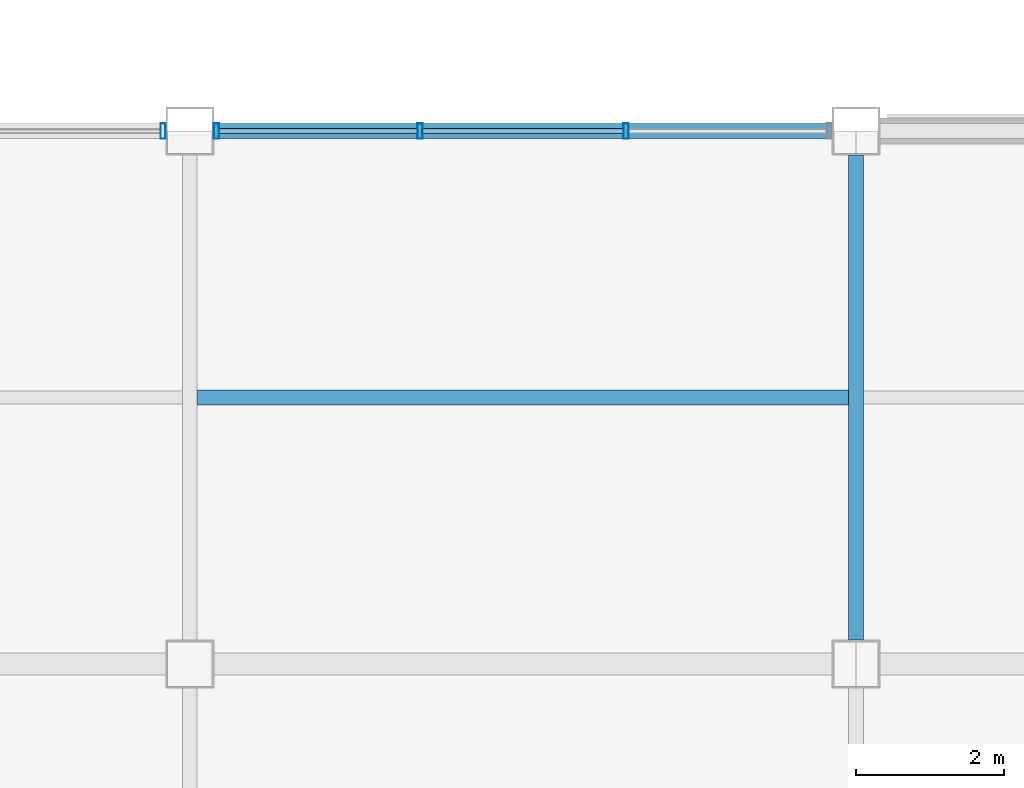
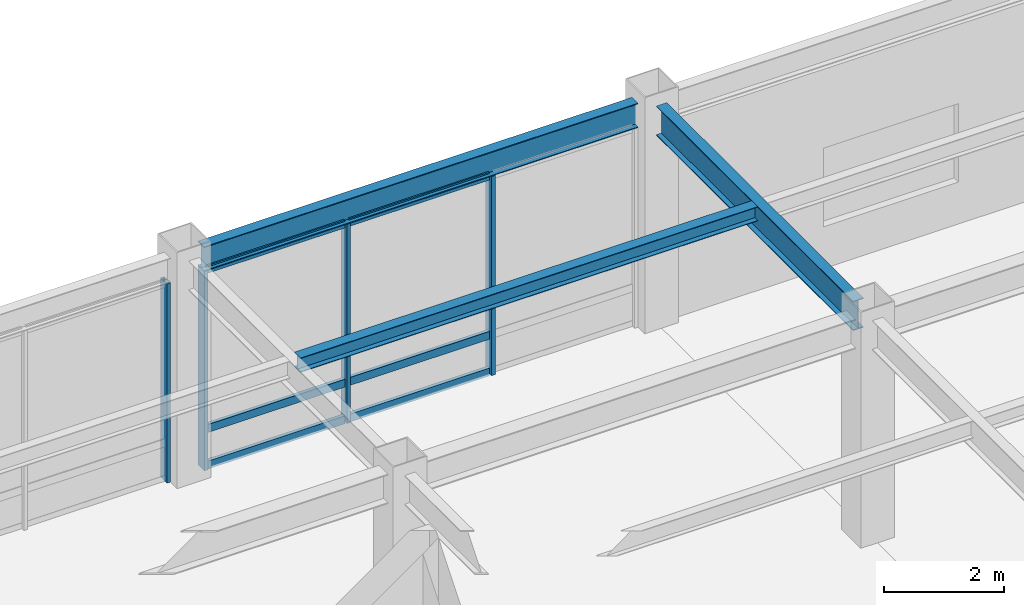
# One storey, part 39 of 112: 10 members, 3 beams, 2 elements without a shape of their own.
"""IFC4 building model written with IfcOpenShell, lengths in metres."""

from ifc_helpers import new_model, si_unit, direction, frame, origin, origin_2d, place, context, subcontext, project, spatial, hollow_rectangle, i_section, extrude, material, material_profile, profile_set, type_object, element, aggregate, save


model = new_model("IFC4")

# Units and contexts
model_context = context("Model", 3, precision=1e-05, world=origin(), true_north=direction((0.0, 1.0)))
body_context = subcontext(model_context, "Body", "Model", "MODEL_VIEW")
ifc_project = project(units=[si_unit("LENGTHUNIT", "METRE"), si_unit("AREAUNIT", "SQUARE_METRE"), si_unit("VOLUMEUNIT", "CUBIC_METRE"), si_unit("PLANEANGLEUNIT", "RADIAN"), si_unit("MASSUNIT", "GRAM", prefix="KILO")], contexts=[model_context])

# Site, building, storey
site_placement = place(None, origin())
site = spatial("IfcSite", under=ifc_project, at=site_placement, CompositionType="ELEMENT")
building_placement = place(site_placement, origin())
building = spatial("IfcBuilding", under=site, at=building_placement, Name="Kazanami Central Library", CompositionType="ELEMENT")
storey_placement = place(building_placement, origin())
storey = spatial("IfcBuildingStorey", under=building, at=storey_placement, Name="L01", CompositionType="ELEMENT", Elevation=0.0)

# Beams
ifc_material_1 = material(Name="Steel SN400B (235 MPa)", Category="steel")
ifc_material_profile_1 = material_profile(ifc_material_1, i_section(OverallWidth=0.199951171875, OverallDepth=0.2939453125, WebThickness=0.008056640625, FlangeThickness=0.011962890625, at=origin_2d()), Name="H-294x200x8x12")
ifc_profile_set_1 = profile_set([ifc_material_profile_1], Name="Steel SN400B (235 MPa)")
beam_type_1 = type_object("IfcBeamType", Name="BM-B-S5", PredefinedType="JOIST", material=ifc_profile_set_1)
beam_1_placement = place(storey_placement, frame((81.097900390625, 32.39990234375, 4.407958984375), z_axis=(1.0, 0.0, 0.0), x_axis=(0.0, 1.0, 0.0)))
element("IfcBeam", 1, at=beam_1_placement, inside=storey, type_object=beam_type_1, Name="Composite Secondary Joist B-S5 L01 Bay 10/E.1", PredefinedType="JOIST", context=body_context, shape_type="SweptSolid", body=[
    extrude(i_section(OverallWidth=0.199951171875, OverallDepth=0.2939453125, WebThickness=0.008056640625, FlangeThickness=0.011962890625, at=origin_2d()), origin(), (0.0, 0.0, 1.0), 8.80419921875),
])
ifc_material_2 = material(Name="Steel SN490B (325 MPa)", Category="steel")
ifc_material_profile_2 = material_profile(ifc_material_2, i_section(OverallWidth=0.199951171875, OverallDepth=0.60009765625, WebThickness=0.010986328125, FlangeThickness=0.01708984375, at=origin_2d()), Name="H-600x200x11x17")
ifc_profile_set_2 = profile_set([ifc_material_profile_2], Name="Steel SN490B (325 MPa)")
beam_type_2 = type_object("IfcBeamType", Name="BM-G-Y1", PredefinedType="BEAM", material=ifc_profile_set_2)
beam_2_placement = place(storey_placement, frame((90.0, 29.123046875, 4.2548828125), z_axis=(0.0, 1.0, 0.0), x_axis=(-1.0, 0.0, 0.0)))
element("IfcBeam", 2, at=beam_2_placement, inside=storey, type_object=beam_type_2, Name="Girder G-Y1 L01 11/E-F", PredefinedType="BEAM", context=body_context, shape_type="SweptSolid", body=[
    extrude(i_section(OverallWidth=0.199951171875, OverallDepth=0.60009765625, WebThickness=0.010986328125, FlangeThickness=0.01708984375, at=origin_2d()), origin(), (0.0, 0.0, 1.0), 6.553955078125),
])
ifc_material_profile_3 = material_profile(ifc_material_2, i_section(OverallWidth=0.199951171875, OverallDepth=0.5, WebThickness=0.010009765625, FlangeThickness=0.01611328125, at=origin_2d()), Name="H-500x200x10x16")
ifc_profile_set_3 = profile_set([ifc_material_profile_3], Name="Steel SN490B (325 MPa)")
beam_type_3 = type_object("IfcBeamType", Name="BM-SP-1", PredefinedType="SPANDREL", material=ifc_profile_set_3)
beam_3_placement = place(storey_placement, frame((81.322998046875, 36.0, 4.304931640625), z_axis=(1.0, 0.0, 0.0), x_axis=(0.0, 1.0, 0.0)))
element("IfcBeam", 3, at=beam_3_placement, inside=storey, type_object=beam_type_3, Name="Girder SP-1 L01 F/10-11", PredefinedType="SPANDREL", context=body_context, shape_type="SweptSolid", body=[
    extrude(i_section(OverallWidth=0.199951171875, OverallDepth=0.5, WebThickness=0.010009765625, FlangeThickness=0.01611328125, at=origin_2d()), origin(), (0.0, 0.0, 1.0), 8.35400390625),
])

# Curtain wall, member
ifc_material_3 = material(Name="Acid-Etched Low-E Laminated Glass", Category="glass")
curtain_wall_type = type_object("IfcCurtainWallType", Name="CW-8350x4055-M275", PredefinedType="USERDEFINED", material=ifc_material_3)
curtain_wall_1_placement = place(storey_placement, origin())
curtain_wall_1 = element("IfcCurtainWall", 4, at=curtain_wall_1_placement, inside=storey, type_object=curtain_wall_type, Name="Unitised Curtain Wall CW-03 L01 N-F-08", ObjectType="UNITISED CURTAIN WALL", PredefinedType="USERDEFINED")
ifc_material_4 = material(Name="Anodised Aluminium A6063-T5", Category="aluminium")
ifc_material_profile_4 = material_profile(ifc_material_4, hollow_rectangle(XDim=0.070068359375, YDim=0.2099609375, WallThickness=0.0048828125, at=origin_2d()), Name="ALU-MULL-70x210x5")
ifc_profile_set_4 = profile_set([ifc_material_profile_4], Name="Anodised Aluminium A6063-T5")
member_type_1 = type_object("IfcMemberType", Name="MEM-CW-M1", PredefinedType="MULLION", material=ifc_profile_set_4)
member_1_placement = place(storey_placement, frame((80.639892578125, 36.0, 0.0), z_axis=(0.0, 0.0, 1.0), x_axis=(-1.0, 0.0, 0.0)))
member_1 = element("IfcMember", 5, at=member_1_placement, type_object=member_type_1, Name="CW-03 mullion 1", PredefinedType="MULLION", context=body_context, shape_type="SweptSolid", body=[
    extrude(hollow_rectangle(XDim=0.070068359375, YDim=0.2099609375, WallThickness=0.0048828125, at=origin_2d()), origin(), (0.0, 0.0, 1.0), 4.054931640625),
])
aggregate(curtain_wall_1, [member_1])

# Curtain wall, members
curtain_wall_2_placement = place(storey_placement, origin())
curtain_wall_2 = element("IfcCurtainWall", 6, at=curtain_wall_2_placement, inside=storey, type_object=curtain_wall_type, Name="Unitised Curtain Wall CW-03 L01 N-F-09", ObjectType="UNITISED CURTAIN WALL", PredefinedType="USERDEFINED")
member_2_placement = place(storey_placement, frame((86.8916015625, 36.0, 0.0), z_axis=(0.0, 0.0, 1.0), x_axis=(-1.0, 0.0, 0.0)))
member_2 = element("IfcMember", 7, at=member_2_placement, type_object=member_type_1, Name="CW-03 mullion 2", PredefinedType="MULLION", context=body_context, shape_type="SweptSolid", body=[
    extrude(hollow_rectangle(XDim=0.070068359375, YDim=0.2099609375, WallThickness=0.0048828125, at=origin_2d()), origin(), (0.0, 0.0, 1.0), 4.054931640625),
])
member_3_placement = place(storey_placement, frame((84.1083984375, 36.0, 0.0), z_axis=(0.0, 0.0, 1.0), x_axis=(-1.0, 0.0, 0.0)))
member_3 = element("IfcMember", 8, at=member_3_placement, type_object=member_type_1, Name="CW-03 mullion 3", PredefinedType="MULLION", context=body_context, shape_type="SweptSolid", body=[
    extrude(hollow_rectangle(XDim=0.070068359375, YDim=0.2099609375, WallThickness=0.0048828125, at=origin_2d()), origin(), (0.0, 0.0, 1.0), 4.054931640625),
])
member_4_placement = place(storey_placement, frame((81.360107421875, 36.0, 0.0), z_axis=(0.0, 0.0, 1.0), x_axis=(-1.0, 0.0, 0.0)))
member_4 = element("IfcMember", 9, at=member_4_placement, type_object=member_type_1, Name="CW-03 mullion 4", PredefinedType="MULLION", context=body_context, shape_type="SweptSolid", body=[
    extrude(hollow_rectangle(XDim=0.070068359375, YDim=0.2099609375, WallThickness=0.0048828125, at=origin_2d()), origin(), (0.0, 0.0, 1.0), 4.054931640625),
])
ifc_material_profile_5 = material_profile(ifc_material_4, hollow_rectangle(XDim=0.070068359375, YDim=0.159912109375, WallThickness=0.00390625, at=origin_2d()), Name="ALU-TRAN-70x160x4")
ifc_profile_set_5 = profile_set([ifc_material_profile_5], Name="Anodised Aluminium A6063-T5")
member_type_2 = type_object("IfcMemberType", Name="MEM-CW-T1", PredefinedType="USERDEFINED", material=ifc_profile_set_5)
member_5_placement = place(storey_placement, frame((86.856689453125, 36.0, 0.034912109375), z_axis=(-1.0, 0.0, 0.0), x_axis=(0.0, -1.0, 0.0)))
member_5 = element("IfcMember", 10, at=member_5_placement, type_object=member_type_2, Name="CW-03 transom 2.1", ObjectType="TRANSOM", PredefinedType="USERDEFINED", context=body_context, shape_type="SweptSolid", body=[
    extrude(hollow_rectangle(XDim=0.070068359375, YDim=0.159912109375, WallThickness=0.00390625, at=origin_2d()), origin(), (0.0, 0.0, 1.0), 2.71337890625),
])
member_6_placement = place(storey_placement, frame((86.856689453125, 36.0, 0.780029296875), z_axis=(-1.0, 0.0, 0.0), x_axis=(0.0, -1.0, 0.0)))
member_6 = element("IfcMember", 11, at=member_6_placement, type_object=member_type_2, Name="CW-03 transom 2.2", ObjectType="TRANSOM", PredefinedType="USERDEFINED", context=body_context, shape_type="SweptSolid", body=[
    extrude(hollow_rectangle(XDim=0.070068359375, YDim=0.159912109375, WallThickness=0.00390625, at=origin_2d()), origin(), (0.0, 0.0, 1.0), 2.71337890625),
])
member_7_placement = place(storey_placement, frame((86.856689453125, 36.0, 4.02001953125), z_axis=(-1.0, 0.0, 0.0), x_axis=(0.0, -1.0, 0.0)))
member_7 = element("IfcMember", 12, at=member_7_placement, type_object=member_type_2, Name="CW-03 transom 2.3", ObjectType="TRANSOM", PredefinedType="USERDEFINED", context=body_context, shape_type="SweptSolid", body=[
    extrude(hollow_rectangle(XDim=0.070068359375, YDim=0.159912109375, WallThickness=0.00390625, at=origin_2d()), origin(), (0.0, 0.0, 1.0), 2.71337890625),
])
member_8_placement = place(storey_placement, frame((84.0732421875, 36.0, 0.034912109375), z_axis=(-1.0, 0.0, 0.0), x_axis=(0.0, -1.0, 0.0)))
member_8 = element("IfcMember", 13, at=member_8_placement, type_object=member_type_2, Name="CW-03 transom 3.1", ObjectType="TRANSOM", PredefinedType="USERDEFINED", context=body_context, shape_type="SweptSolid", body=[
    extrude(hollow_rectangle(XDim=0.070068359375, YDim=0.159912109375, WallThickness=0.00390625, at=origin_2d()), origin(), (0.0, 0.0, 1.0), 2.67822265625),
])
member_9_placement = place(storey_placement, frame((84.0732421875, 36.0, 0.780029296875), z_axis=(-1.0, 0.0, 0.0), x_axis=(0.0, -1.0, 0.0)))
member_9 = element("IfcMember", 14, at=member_9_placement, type_object=member_type_2, Name="CW-03 transom 3.2", ObjectType="TRANSOM", PredefinedType="USERDEFINED", context=body_context, shape_type="SweptSolid", body=[
    extrude(hollow_rectangle(XDim=0.070068359375, YDim=0.159912109375, WallThickness=0.00390625, at=origin_2d()), origin(), (0.0, 0.0, 1.0), 2.67822265625),
])
member_10_placement = place(storey_placement, frame((84.0732421875, 36.0, 4.02001953125), z_axis=(-1.0, 0.0, 0.0), x_axis=(0.0, -1.0, 0.0)))
member_10 = element("IfcMember", 15, at=member_10_placement, type_object=member_type_2, Name="CW-03 transom 3.3", ObjectType="TRANSOM", PredefinedType="USERDEFINED", context=body_context, shape_type="SweptSolid", body=[
    extrude(hollow_rectangle(XDim=0.070068359375, YDim=0.159912109375, WallThickness=0.00390625, at=origin_2d()), origin(), (0.0, 0.0, 1.0), 2.67822265625),
])
aggregate(curtain_wall_2, [member_2, member_3, member_4, member_5, member_6, member_7, member_8, member_9, member_10])

save(model, "model.ifc")
